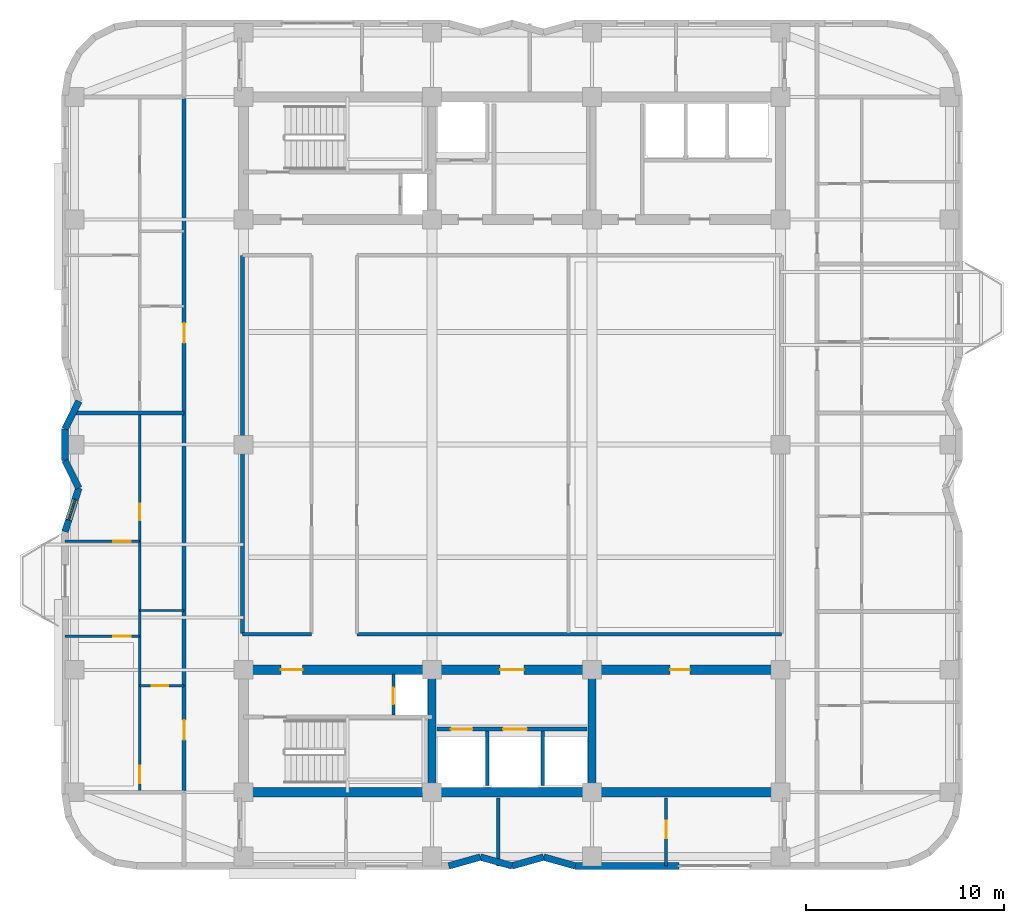
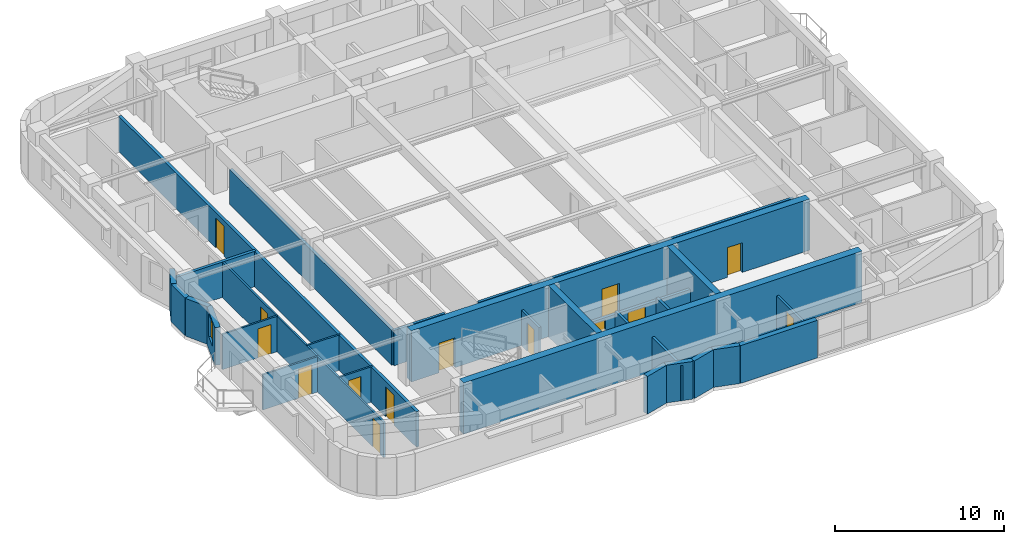
# One storey, part 5 of 12: 29 walls, 14 doors, 1 window, 15 openings.
"""IFC4 building model written with IfcOpenShell, lengths in metres."""

import ifcopenshell
import ifcopenshell.guid

model = None  # the IFC model being written
_history = None  # IfcOwnerHistory: only IFC2X3 demands one
_inside = {}  # id of a spatial element -> (the spatial element, [elements in it])
_under = {}  # id of a project, library or spatial element -> (it, [spatial elements below it])
_declared = {}  # id of a project -> (the project, [libraries it declares])
_typed = {}  # id of a type object -> (the type object, [elements of that type])
_made_of = {}  # id of a material, layer set ... -> (it, [elements and type objects made of it])


def new_model(schema):
    """Start an empty IFC model of exactly this schema.

    Asked for "IFC4X3", IfcOpenShell would pick the latest addendum, in which some entities
    have other attributes; the version numbers below select the first issue.
    IFC2X3 requires an IfcOwnerHistory on every rooted entity: one is made here for all.
    """
    global model, _history
    if schema == "IFC4X3":
        model = ifcopenshell.file(schema_version=(4, 3, 0, 0))
    else:
        model = ifcopenshell.file(schema=schema)
    _inside.clear()
    _under.clear()
    _declared.clear()
    _typed.clear()
    _made_of.clear()
    _history = None
    if model.schema == "IFC2X3":
        org = make("IfcOrganization", Name="unknown")
        user = make(
            "IfcPersonAndOrganization",
            ThePerson=make("IfcPerson", FamilyName="unknown"),
            TheOrganization=org,
        )
        app = make(
            "IfcApplication",
            ApplicationDeveloper=org,
            Version="unknown",
            ApplicationFullName="unknown",
            ApplicationIdentifier="unknown",
        )
        _history = make(
            "IfcOwnerHistory",
            OwningUser=user,
            OwningApplication=app,
            ChangeAction="ADDED",
            CreationDate=0,
        )
    return model


def make(cls, **values):
    """One entity of the class cls with the attributes given. An attribute that is None is left unset."""
    return model.create_entity(
        cls, **{name: value for name, value in values.items() if value is not None}
    )


def rooted(cls, **values):
    """An entity with a GlobalId (a new one), such as an element, a storey or a relation."""
    return make(cls, GlobalId=ifcopenshell.guid.new(), OwnerHistory=_history, **values)


def si_unit(unit_type, name, prefix=None):
    """IfcSIUnit, for example si_unit("LENGTHUNIT", "METRE", prefix="MILLI")."""
    return make("IfcSIUnit", UnitType=unit_type, Prefix=prefix, Name=name)


def assignment(units):
    """IfcUnitAssignment: the units of a project."""
    return None if units is None else make("IfcUnitAssignment", Units=units)


def point(xyz):
    """IfcCartesianPoint."""
    return None if xyz is None else make("IfcCartesianPoint", Coordinates=xyz)


def direction(xyz):
    """IfcDirection."""
    return None if xyz is None else make("IfcDirection", DirectionRatios=xyz)


def frame(location, z_axis=None, x_axis=None):
    """IfcAxis2Placement3D, a coordinate frame: its origin and axes. An axis left out is left unset."""
    return make(
        "IfcAxis2Placement3D",
        Location=point(location),
        Axis=direction(z_axis),
        RefDirection=direction(x_axis),
    )


def frame_2d(location, x_axis=None):
    """IfcAxis2Placement2D, a coordinate frame in the plane: its origin and x axis."""
    return make(
        "IfcAxis2Placement2D", Location=point(location), RefDirection=direction(x_axis)
    )


def origin():
    """The frame at (0, 0, 0) with its axes left unset."""
    return frame((0.0, 0.0, 0.0))


def place(relative_to, where):
    """IfcLocalPlacement: puts the frame where relative to a parent placement (None: the world)."""
    return make(
        "IfcLocalPlacement", PlacementRelTo=relative_to, RelativePlacement=where
    )


def context(
    kind, dimensions, precision=None, world=None, true_north=None, identifier=None
):
    """IfcGeometricRepresentationContext, for example the 3D "Model" context."""
    return make(
        "IfcGeometricRepresentationContext",
        ContextIdentifier=identifier,
        ContextType=kind,
        CoordinateSpaceDimension=dimensions,
        Precision=precision,
        WorldCoordinateSystem=world,
        TrueNorth=true_north,
    )


def subcontext(parent, identifier, kind, view, scale=None):
    """IfcGeometricRepresentationSubContext, for example "Body" below "Model"."""
    return make(
        "IfcGeometricRepresentationSubContext",
        ContextIdentifier=identifier,
        ContextType=kind,
        ParentContext=parent,
        TargetScale=scale,
        TargetView=view,
    )


def project(units=None, contexts=None):
    """IfcProject with its units and contexts."""
    return rooted(
        "IfcProject",
        Name="project",
        RepresentationContexts=contexts,
        UnitsInContext=assignment(units),
    )


def spatial(cls, under=None, at=None, **own):
    """A site, building, storey or space (cls), placed at a placement, below another one or the project."""
    s = rooted(cls, ObjectPlacement=at, **own)
    if under is not None:
        _under.setdefault(under.id(), (under, []))[1].append(s)
    return s


def profile(cls, at=None, kind="AREA", **sizes):
    """A parametric profile (cls). Its sizes go by their IFC names, for example OverallWidth=200.0."""
    return make(cls, ProfileType=kind, Position=at, **sizes)


def rectangle(**sizes):
    """IfcRectangleProfileDef."""
    return profile("IfcRectangleProfileDef", **sizes)


def extrude(swept, where, along, depth):
    """IfcExtrudedAreaSolid: the profile swept, set in the frame where, extruded along a direction by depth."""
    return make(
        "IfcExtrudedAreaSolid",
        SweptArea=swept,
        Position=where,
        ExtrudedDirection=direction(along),
        Depth=depth,
    )


def shape(context_of_items, identifier, shape_type, items):
    """IfcShapeRepresentation: the items that make up one representation, for example the "Body"."""
    return make(
        "IfcShapeRepresentation",
        ContextOfItems=context_of_items,
        RepresentationIdentifier=identifier,
        RepresentationType=shape_type,
        Items=items,
    )


def material(Name=None, Category=None):
    """IfcMaterial."""
    return make("IfcMaterial", Name=Name, Category=Category)


def layer(
    of_material, thickness, ventilated=None, Name=None, Category=None, Priority=None
):
    """IfcMaterialLayer: one layer of a wall or slab, of a material (None: an air gap)."""
    return make(
        "IfcMaterialLayer",
        Material=of_material,
        LayerThickness=thickness,
        IsVentilated=ventilated,
        Name=Name,
        Category=Category,
        Priority=Priority,
    )


def layer_set(layers, Name=None):
    """IfcMaterialLayerSet."""
    return make("IfcMaterialLayerSet", MaterialLayers=layers, LayerSetName=Name)


def made_of(thing, what):
    """Note that an element or type object is made of a material, layer set ...; save() writes the relation."""
    if what is not None:
        _made_of.setdefault(what.id(), (what, []))[1].append(thing)
    return thing


def type_object(cls, material=None, **own):
    """A type object (cls), such as IfcWallType, which elements share."""
    return made_of(rooted(cls, **own), material)


def element(
    cls,
    number,
    at=None,
    inside=None,
    cuts=None,
    type_object=None,
    material=None,
    context=None,
    identifier="Body",
    shape_type=None,
    held_by="IfcProductDefinitionShape",
    body=None,
    shapes=None,
    **own,
):
    """One element of the class cls, such as IfcWall. Its Tag is "e" and its number.

    at: its placement. inside: the storey or other place that contains it. cuts: it is an
    opening in that element (IfcRelVoidsElement). A single representation is given by context,
    identifier, shape_type and body (its items); several are given by shapes. held_by: the class
    of the entity that holds the representations. save() writes the other relations.
    """
    e = rooted(cls, Tag="e%d" % number, ObjectPlacement=at, **own)
    if body is not None:
        shapes = [shape(context, identifier, shape_type, body)]
    if shapes is not None:
        e.Representation = make(held_by, Representations=shapes)
    if inside is not None:
        _inside.setdefault(inside.id(), (inside, []))[1].append(e)
    if cuts is not None:
        rooted(
            "IfcRelVoidsElement", RelatingBuildingElement=cuts, RelatedOpeningElement=e
        )
    if type_object is not None:
        _typed.setdefault(type_object.id(), (type_object, []))[1].append(e)
    return made_of(e, material)


def fill(opening, filler):
    """IfcRelFillsElement: the door or window that sits in an opening."""
    return rooted(
        "IfcRelFillsElement",
        RelatingOpeningElement=opening,
        RelatedBuildingElement=filler,
    )


def aggregate(whole, parts):
    """IfcRelAggregates: a whole, such as a stair, and the parts it consists of."""
    return rooted("IfcRelAggregates", RelatingObject=whole, RelatedObjects=parts)


def save(model, path):
    """Write the relations noted so far, then the file.

    IfcRelAggregates (storeys below a building ...), IfcRelContainedInSpatialStructure (elements
    in a storey), IfcRelDefinesByType, IfcRelAssociatesMaterial and IfcRelDeclares: one each for
    every whole, place, type object, material and project.
    """
    for whole, parts in _under.values():
        aggregate(whole, parts)
    for where, things in _inside.values():
        rooted(
            "IfcRelContainedInSpatialStructure",
            RelatedElements=things,
            RelatingStructure=where,
        )
    for kind, things in _typed.values():
        rooted("IfcRelDefinesByType", RelatedObjects=things, RelatingType=kind)
    for what, things in _made_of.values():
        rooted("IfcRelAssociatesMaterial", RelatedObjects=things, RelatingMaterial=what)
    for by, libraries in _declared.values():
        rooted("IfcRelDeclares", RelatingContext=by, RelatedDefinitions=libraries)
    model.write(path)


model = new_model("IFC4")

# Units and contexts
model_context = context("Model", 3, precision=1e-05, world=origin(), true_north=direction((0.0, 1.0)))
body_context = subcontext(model_context, "Body", "Model", "MODEL_VIEW")
ifc_project = project(units=[si_unit("LENGTHUNIT", "METRE"), si_unit("AREAUNIT", "SQUARE_METRE"), si_unit("VOLUMEUNIT", "CUBIC_METRE"), si_unit("PLANEANGLEUNIT", "RADIAN"), si_unit("MASSUNIT", "GRAM", prefix="KILO")], contexts=[model_context])

# Site, building, storey
site_placement = place(None, origin())
site = spatial("IfcSite", under=ifc_project, at=site_placement, CompositionType="ELEMENT")
building_placement = place(site_placement, origin())
building = spatial("IfcBuilding", under=site, at=building_placement, Name="Svetorya Sky Lyceum", CompositionType="ELEMENT")
storey_placement = place(building_placement, frame((0.0, 0.0, 177.39990234375)))
storey = spatial("IfcBuildingStorey", under=building, at=storey_placement, Name="L44", CompositionType="ELEMENT", Elevation=177.39990234375)

# Walls
ifc_material_1 = material(Name="Concrete C40/50", Category="concrete")
ifc_layer_1 = layer(ifc_material_1, 0.39990234375)
ifc_layer_set_1 = layer_set([ifc_layer_1], Name="Concrete C40/50")
wall_type_1 = type_object("IfcWallType", Name="WL-CORE-400", PredefinedType="SHEAR", material=ifc_layer_set_1)
for number, where, z_axis, x_axis, name in (
    (1, (35.14990234375, 10.85009765625, 0.0), (0.0, 0.0, 1.0), (0.0, 1.0, 0.0), "L44 SC Internal Shear Web WEB1"),
    (2, (43.25, 10.85009765625, 0.0), (0.0, 0.0, 1.0), (0.0, 1.0, 0.0), "L44 SC Internal Shear Web WEB2"),
):
    element("IfcWall", number, at=place(storey_placement, frame(where, z_axis=z_axis, x_axis=x_axis)), inside=storey, type_object=wall_type_1, Name=name, PredefinedType="SHEAR", context=body_context, shape_type="SweptSolid", body=[
        extrude(rectangle(XDim=5.699951171875, YDim=0.39990234375, at=frame_2d((2.85009765625, 0.0))), origin(), (0.0, 0.0, 1.0), 3.7001953125),
    ])
ifc_material_2 = material(Name="Concrete C50/60", Category="concrete")
ifc_layer_2 = layer(ifc_material_2, 0.5)
ifc_layer_set_2 = layer_set([ifc_layer_2], Name="Concrete C50/60")
wall_type_2 = type_object("IfcWallType", Name="WL-CORE-500", PredefinedType="SHEAR", material=ifc_layer_set_2)
wall_1_placement = place(storey_placement, frame((52.800048828125, 10.60009765625, 0.0), z_axis=(0.0, 0.0, 1.0), x_axis=(-1.0, 0.0, 0.0)))
element("IfcWall", 3, at=wall_1_placement, inside=storey, type_object=wall_type_2, Name="L44 SC Outer Core Shear Wall", PredefinedType="SHEAR", context=body_context, shape_type="SweptSolid", body=[
    extrude(rectangle(XDim=27.199951171875, YDim=0.5, at=frame_2d((13.60009765625, 0.0))), origin(), (0.0, 0.0, 1.0), 3.7001953125),
])

# Wall, openings, doors
wall_2_placement = place(storey_placement, frame((25.60009765625, 16.800048828125, 0.0), z_axis=(0.0, 0.0, 1.0), x_axis=(1.0, 0.0, 0.0)))
wall_2 = element("IfcWall", 4, at=wall_2_placement, inside=storey, type_object=wall_type_2, Name="L44 SC Inner Core Shear Wall", PredefinedType="SHEAR", context=body_context, shape_type="SweptSolid", body=[
    extrude(rectangle(XDim=27.199951171875, YDim=0.5, at=frame_2d((13.60009765625, 0.0))), origin(), (0.0, 0.0, 1.0), 3.7001953125),
])
opening_1_placement = place(wall_2_placement, frame((1.89990234375, 0.0, 0.0)))
opening_1 = element("IfcOpeningElement", 5, at=opening_1_placement, cuts=wall_2, Name="Opening D-ST1", PredefinedType="OPENING", context=body_context, shape_type="SweptSolid", body=[
    extrude(rectangle(XDim=1.10009765625, YDim=2.14990234375, at=frame_2d((0.550048828125, 1.074951171875))), frame((0.0, 0.260009765625, 0.0), z_axis=(0.0, -1.0, 0.0), x_axis=(1.0, 0.0, 0.0)), (0.0, 0.0, 1.0), 0.52001953125),
])
opening_2_placement = place(wall_2_placement, frame((13.0, 0.0, 0.0)))
opening_2 = element("IfcOpeningElement", 6, at=opening_2_placement, cuts=wall_2, Name="Opening D-FL1", PredefinedType="OPENING", context=body_context, shape_type="SweptSolid", body=[
    extrude(rectangle(XDim=1.199951171875, YDim=2.14990234375, at=frame_2d((0.60009765625, 1.074951171875))), frame((0.0, 0.260009765625, 0.0), z_axis=(0.0, -1.0, 0.0), x_axis=(1.0, 0.0, 0.0)), (0.0, 0.0, 1.0), 0.52001953125),
])
opening_3_placement = place(wall_2_placement, frame((21.60009765625, 0.0, 0.0)))
opening_3 = element("IfcOpeningElement", 7, at=opening_3_placement, cuts=wall_2, Name="Opening D-RM2", PredefinedType="OPENING", context=body_context, shape_type="SweptSolid", body=[
    extrude(rectangle(XDim=1.0, YDim=2.14990234375, at=frame_2d((0.5, 1.074951171875))), frame((0.0, 0.260009765625, 0.0), z_axis=(0.0, -1.0, 0.0), x_axis=(1.0, 0.0, 0.0)), (0.0, 0.0, 1.0), 0.52001953125),
])
ifc_material_3 = material(Name="Powder-coated insulated galvanized stair fire door")
door_type_1 = type_object("IfcDoorType", Name="DR-FIRE-1100", OperationType="SINGLE_SWING_LEFT", PredefinedType="DOOR", material=ifc_material_3)
door_1_placement = place(opening_1_placement, origin())
door_1 = element("IfcDoor", 8, at=door_1_placement, inside=storey, type_object=door_type_1, Name="L44 South Stair Airlock Door", OperationType="SINGLE_SWING_RIGHT", OverallHeight=2.14990234375, OverallWidth=1.10009765625, PredefinedType="DOOR", context=body_context, shape_type="SweptSolid", body=[
    extrude(rectangle(XDim=1.10009765625, YDim=2.14990234375, at=frame_2d((0.550048828125, 1.074951171875))), frame((0.0, 0.02490234375, 0.0), z_axis=(0.0, -1.0, 0.0), x_axis=(1.0, 0.0, 0.0)), (0.0, 0.0, 1.0), 0.050048828125),
])
fill(opening_1, door_1)
ifc_material_4 = material(Name="Powder-coated insulated galvanized fire door")
door_type_2 = type_object("IfcDoorType", Name="DR-FIRE-1200", OperationType="SINGLE_SWING_LEFT", PredefinedType="DOOR", material=ifc_material_4)
door_2_placement = place(opening_2_placement, origin())
door_2 = element("IfcDoor", 9, at=door_2_placement, inside=storey, type_object=door_type_2, Name="L44 South Firefighting Lift Lobby Door", OperationType="SINGLE_SWING_LEFT", OverallHeight=2.14990234375, OverallWidth=1.199951171875, PredefinedType="DOOR", context=body_context, shape_type="SweptSolid", body=[
    extrude(rectangle(XDim=1.199951171875, YDim=2.14990234375, at=frame_2d((0.60009765625, 1.074951171875))), frame((0.0, 0.02490234375, 0.0), z_axis=(0.0, -1.0, 0.0), x_axis=(1.0, 0.0, 0.0)), (0.0, 0.0, 1.0), 0.050048828125),
])
fill(opening_2, door_2)
ifc_material_5 = material(Name="Solid-core oak acoustic room door")
door_type_3 = type_object("IfcDoorType", Name="DR-INT-1000", OperationType="SINGLE_SWING_LEFT", PredefinedType="DOOR", material=ifc_material_5)
door_3_placement = place(opening_3_placement, origin())
door_3 = element("IfcDoor", 10, at=door_3_placement, inside=storey, type_object=door_type_3, Name="L44 Trunk Store Door", OperationType="SINGLE_SWING_LEFT", OverallHeight=2.14990234375, OverallWidth=1.0, PredefinedType="DOOR", context=body_context, shape_type="SweptSolid", body=[
    extrude(rectangle(XDim=1.0, YDim=2.14990234375, at=frame_2d((0.5, 1.074951171875))), frame((0.0, 0.02490234375, 0.0), z_axis=(0.0, -1.0, 0.0), x_axis=(1.0, 0.0, 0.0)), (0.0, 0.0, 1.0), 0.050048828125),
])
fill(opening_3, door_3)

# Walls
ifc_material_6 = material(Name="Putilovo limestone rainscreen on autoclaved cellular masonry", Category="masonry")
ifc_layer_3 = layer(ifc_material_6, 0.340087890625)
ifc_layer_set_3 = layer_set([ifc_layer_3], Name="Putilovo limestone rainscreen on autoclaved cellular masonry")
wall_type_3 = type_object("IfcWallType", Name="WL-EXT-340", PredefinedType="SOLIDWALL", material=ifc_layer_set_3)
wall_3_placement = place(storey_placement, frame((36.0, 6.8701171875, 0.0), z_axis=(0.0, 0.0, 1.0), x_axis=(0.962662902433, 0.270703040766, 0.0)))
element("IfcWall", 11, at=wall_3_placement, inside=storey, type_object=wall_type_3, Name="L44 Limestone Exterior Wall 7M", PredefinedType="SOLIDWALL", context=body_context, shape_type="SweptSolid", body=[
    extrude(rectangle(XDim=1.662109375, YDim=0.340087890625, at=frame_2d((0.8310546875, 0.0))), origin(), (0.0, 0.0, 1.0), 2.72021484375),
])
wall_4_placement = place(storey_placement, frame((37.60009765625, 7.320068359375, 0.0), z_axis=(0.0, 0.0, 1.0), x_axis=(0.962652136636, -0.270741322725, 0.0)))
element("IfcWall", 12, at=wall_4_placement, inside=storey, type_object=wall_type_3, Name="L44 Limestone Exterior Wall 8M", PredefinedType="SOLIDWALL", context=body_context, shape_type="SweptSolid", body=[
    extrude(rectangle(XDim=1.661865234375, YDim=0.340087890625, at=frame_2d((0.8310546875, 0.0))), origin(), (0.0, 0.0, 1.0), 2.72021484375),
])
wall_5_placement = place(storey_placement, frame((39.199951171875, 6.8701171875, 0.0), z_axis=(0.0, 0.0, 1.0), x_axis=(0.962662902433, 0.270703040766, 0.0)))
element("IfcWall", 13, at=wall_5_placement, inside=storey, type_object=wall_type_3, Name="L44 Limestone Exterior Wall 9M", PredefinedType="SOLIDWALL", context=body_context, shape_type="SweptSolid", body=[
    extrude(rectangle(XDim=1.662109375, YDim=0.340087890625, at=frame_2d((0.8310546875, 0.0))), origin(), (0.0, 0.0, 1.0), 2.72021484375),
])
wall_6_placement = place(storey_placement, frame((40.800048828125, 7.320068359375, 0.0), z_axis=(0.0, 0.0, 1.0), x_axis=(0.962652136636, -0.270741322725, 0.0)))
element("IfcWall", 14, at=wall_6_placement, inside=storey, type_object=wall_type_3, Name="L44 Limestone Exterior Wall 10M", PredefinedType="SOLIDWALL", context=body_context, shape_type="SweptSolid", body=[
    extrude(rectangle(XDim=1.661865234375, YDim=0.340087890625, at=frame_2d((0.8310546875, 0.0))), origin(), (0.0, 0.0, 1.0), 2.72021484375),
])
wall_7_placement = place(storey_placement, frame((42.39990234375, 6.8701171875, 0.0), z_axis=(0.0, 0.0, 1.0), x_axis=(1.0, 0.0, 0.0)))
element("IfcWall", 15, at=wall_7_placement, inside=storey, type_object=wall_type_3, Name="L44 Limestone Exterior Wall 11A", PredefinedType="SOLIDWALL", context=body_context, shape_type="SweptSolid", body=[
    extrude(rectangle(XDim=5.25, YDim=0.340087890625, at=frame_2d((2.625, 0.0))), origin(), (0.0, 0.0, 1.0), 2.72021484375),
])
wall_8_placement = place(storey_placement, frame((17.27001953125, 30.39990234375, 0.0), z_axis=(0.0, 0.0, 1.0), x_axis=(-0.4472135955, -0.894427191, 0.0)))
element("IfcWall", 16, at=wall_8_placement, inside=storey, type_object=wall_type_3, Name="L44 Limestone Exterior Wall 42M", PredefinedType="SOLIDWALL", context=body_context, shape_type="SweptSolid", body=[
    extrude(rectangle(XDim=1.565185546875, YDim=0.340087890625, at=frame_2d((0.78271484375, 0.0))), origin(), (0.0, 0.0, 1.0), 2.72021484375),
])
wall_9_placement = place(storey_placement, frame((16.570068359375, 29.0, 0.0), z_axis=(0.0, 0.0, 1.0), x_axis=(0.0, -1.0, 0.0)))
element("IfcWall", 17, at=wall_9_placement, inside=storey, type_object=wall_type_3, Name="L44 Limestone Exterior Wall 43M", PredefinedType="SOLIDWALL", context=body_context, shape_type="SweptSolid", body=[
    extrude(rectangle(XDim=1.60009765625, YDim=0.340087890625, at=frame_2d((0.800048828125, 0.0))), origin(), (0.0, 0.0, 1.0), 2.72021484375),
])
wall_10_placement = place(storey_placement, frame((16.570068359375, 27.39990234375, 0.0), z_axis=(0.0, 0.0, 1.0), x_axis=(0.4472135955, -0.894427191, 0.0)))
element("IfcWall", 18, at=wall_10_placement, inside=storey, type_object=wall_type_3, Name="L44 Limestone Exterior Wall 44M", PredefinedType="SOLIDWALL", context=body_context, shape_type="SweptSolid", body=[
    extrude(rectangle(XDim=1.565185546875, YDim=0.340087890625, at=frame_2d((0.78271484375, 0.0))), origin(), (0.0, 0.0, 1.0), 2.72021484375),
])

# Wall, opening, window
wall_11_placement = place(storey_placement, frame((17.27001953125, 26.0, 0.0), z_axis=(0.0, 0.0, 1.0), x_axis=(-0.303190562272, -0.952929946507, 0.0)))
wall_11 = element("IfcWall", 19, at=wall_11_placement, inside=storey, type_object=wall_type_3, Name="L44 Limestone Exterior Wall 45M", PredefinedType="SOLIDWALL", context=body_context, shape_type="SweptSolid", body=[
    extrude(rectangle(XDim=2.30859375, YDim=0.340087890625, at=frame_2d((1.154296875, 0.0))), origin(), (0.0, 0.0, 1.0), 2.72021484375),
])
opening_4_placement = place(wall_11_placement, frame((0.604248046875, 0.0, 0.909912109375)))
opening_4 = element("IfcOpeningElement", 20, at=opening_4_placement, cuts=wall_11, Name="Opening W-R3", PredefinedType="OPENING", context=body_context, shape_type="SweptSolid", body=[
    extrude(rectangle(XDim=1.10009765625, YDim=1.64990234375, at=frame_2d((0.550048828125, 0.824951171875))), frame((0.0, 0.179931640625, 0.0), z_axis=(0.0, -1.0, 0.0), x_axis=(1.0, 0.0, 0.0)), (0.0, 0.0, 1.0), 0.360107421875),
])
ifc_material_7 = material(Name="Thermally broken aluminium frame with triple low-E glazing", Category="aluminium")
window_type = type_object("IfcWindowType", Name="WN-RES-110", PartitioningType="SINGLE_PANEL", PredefinedType="WINDOW", material=ifc_material_7)
window_placement = place(opening_4_placement, origin())
window = element("IfcWindow", 21, at=window_placement, inside=storey, type_object=window_type, Name="L44 Facade Window W-R3.45M.1", OverallHeight=1.64990234375, OverallWidth=1.10009765625, PartitioningType="SINGLE_PANEL", PredefinedType="WINDOW", context=body_context, shape_type="SweptSolid", body=[
    extrude(rectangle(XDim=1.10009765625, YDim=1.64990234375, at=frame_2d((0.550048828125, 0.824951171875))), frame((0.0, 0.030029296875, 0.0), z_axis=(0.0, -1.0, 0.0), x_axis=(1.0, 0.0, 0.0)), (0.0, 0.0, 1.0), 0.06005859375),
])
fill(opening_4, window)

# Wall, opening, door
ifc_material_8 = material(Name="Twin-stud galvanized framing with double fireboard", Category="gypsum")
ifc_layer_4 = layer(ifc_material_8, 0.1201171875)
ifc_layer_set_4 = layer_set([ifc_layer_4], Name="Twin-stud galvanized framing with double fireboard")
wall_type_4 = type_object("IfcWallType", Name="WL-PART-120", PredefinedType="PARTITIONING", material=ifc_layer_set_4)
wall_12_placement = place(storey_placement, frame((20.35009765625, 16.0, 0.0), z_axis=(0.0, 0.0, 1.0), x_axis=(1.0, 0.0, 0.0)))
wall_12 = element("IfcWall", 22, at=wall_12_placement, inside=storey, type_object=wall_type_4, Name="L44 Interior Partition W1-WH1", PredefinedType="PARTITIONING", context=body_context, shape_type="SweptSolid", body=[
    extrude(rectangle(XDim=2.25, YDim=0.1201171875, at=frame_2d((1.125, 0.0))), origin(), (0.0, 0.0, 1.0), 2.550048828125),
])
opening_5_placement = place(wall_12_placement, frame((0.60009765625, 0.0, 0.0)))
opening_5 = element("IfcOpeningElement", 23, at=opening_5_placement, cuts=wall_12, Name="Opening D-BT1", PredefinedType="OPENING", context=body_context, shape_type="SweptSolid", body=[
    extrude(rectangle(XDim=0.85009765625, YDim=2.10009765625, at=frame_2d((0.425048828125, 1.050048828125))), frame((0.0, 0.070068359375, 0.0), z_axis=(0.0, -1.0, 0.0), x_axis=(1.0, 0.0, 0.0)), (0.0, 0.0, 1.0), 0.14013671875),
])
ifc_material_9 = material(Name="Moisture-resistant laminate bathroom door")
door_type_4 = type_object("IfcDoorType", Name="DR-WET-850", OperationType="SINGLE_SWING_LEFT", PredefinedType="DOOR", material=ifc_material_9)
door_4_placement = place(opening_5_placement, origin())
door_4 = element("IfcDoor", 24, at=door_4_placement, inside=storey, type_object=door_type_4, Name="Apartment W1 Bathroom Door", OperationType="SINGLE_SWING_LEFT", OverallHeight=2.10009765625, OverallWidth=0.85009765625, PredefinedType="DOOR", context=body_context, shape_type="SweptSolid", body=[
    extrude(rectangle(XDim=0.85009765625, YDim=2.10009765625, at=frame_2d((0.425048828125, 1.050048828125))), frame((0.0, 0.02490234375, 0.0), z_axis=(0.0, -1.0, 0.0), x_axis=(1.0, 0.0, 0.0)), (0.0, 0.0, 1.0), 0.050048828125),
])
fill(opening_5, door_4)

# Wall
wall_13_placement = place(storey_placement, frame((20.35009765625, 19.800048828125, 0.0), z_axis=(0.0, 0.0, 1.0), x_axis=(1.0, 0.0, 0.0)))
element("IfcWall", 25, at=wall_13_placement, inside=storey, type_object=wall_type_4, Name="L44 Interior Partition W1-WH2", PredefinedType="PARTITIONING", context=body_context, shape_type="SweptSolid", body=[
    extrude(rectangle(XDim=2.25, YDim=0.1201171875, at=frame_2d((1.125, 0.0))), origin(), (0.0, 0.0, 1.0), 2.550048828125),
])

# Wall, opening, door
wall_14_placement = place(storey_placement, frame((16.570068359375, 18.5, 0.0), z_axis=(0.0, 0.0, 1.0), x_axis=(1.0, 0.0, 0.0)))
wall_14 = element("IfcWall", 26, at=wall_14_placement, inside=storey, type_object=wall_type_4, Name="L44 Interior Partition W1-WL1", PredefinedType="PARTITIONING", context=body_context, shape_type="SweptSolid", body=[
    extrude(rectangle(XDim=3.780029296875, YDim=0.1201171875, at=frame_2d((1.89013671875, 0.0))), origin(), (0.0, 0.0, 1.0), 2.550048828125),
])
opening_6_placement = place(wall_14_placement, frame((2.429931640625, 0.0, 0.0)))
opening_6 = element("IfcOpeningElement", 27, at=opening_6_placement, cuts=wall_14, Name="Opening D-RM1", PredefinedType="OPENING", context=body_context, shape_type="SweptSolid", body=[
    extrude(rectangle(XDim=0.89990234375, YDim=2.10009765625, at=frame_2d((0.449951171875, 1.050048828125))), frame((0.0, 0.070068359375, 0.0), z_axis=(0.0, -1.0, 0.0), x_axis=(1.0, 0.0, 0.0)), (0.0, 0.0, 1.0), 0.14013671875),
])
ifc_material_10 = material(Name="Lacquered birch veneer internal door")
door_type_5 = type_object("IfcDoorType", Name="DR-INT-900", OperationType="SINGLE_SWING_LEFT", PredefinedType="DOOR", material=ifc_material_10)
door_5_placement = place(opening_6_placement, origin())
door_5 = element("IfcDoor", 28, at=door_5_placement, inside=storey, type_object=door_type_5, Name="Apartment W1 Master Bedroom Door", OperationType="SINGLE_SWING_LEFT", OverallHeight=2.10009765625, OverallWidth=0.89990234375, PredefinedType="DOOR", context=body_context, shape_type="SweptSolid", body=[
    extrude(rectangle(XDim=0.89990234375, YDim=2.10009765625, at=frame_2d((0.449951171875, 1.050048828125))), frame((0.0, 0.02490234375, 0.0), z_axis=(0.0, -1.0, 0.0), x_axis=(1.0, 0.0, 0.0)), (0.0, 0.0, 1.0), 0.050048828125),
])
fill(opening_6, door_5)

wall_15_placement = place(storey_placement, frame((16.570068359375, 23.300048828125, 0.0), z_axis=(0.0, 0.0, 1.0), x_axis=(1.0, 0.0, 0.0)))
wall_15 = element("IfcWall", 29, at=wall_15_placement, inside=storey, type_object=wall_type_4, Name="L44 Interior Partition W1-WL2", PredefinedType="PARTITIONING", context=body_context, shape_type="SweptSolid", body=[
    extrude(rectangle(XDim=3.780029296875, YDim=0.1201171875, at=frame_2d((1.89013671875, 0.0))), origin(), (0.0, 0.0, 1.0), 2.550048828125),
])
opening_7_placement = place(wall_15_placement, frame((2.429931640625, 0.0, 0.0)))
opening_7 = element("IfcOpeningElement", 30, at=opening_7_placement, cuts=wall_15, Name="Opening D-RM1", PredefinedType="OPENING", context=body_context, shape_type="SweptSolid", body=[
    extrude(rectangle(XDim=0.89990234375, YDim=2.10009765625, at=frame_2d((0.449951171875, 1.050048828125))), frame((0.0, 0.070068359375, 0.0), z_axis=(0.0, -1.0, 0.0), x_axis=(1.0, 0.0, 0.0)), (0.0, 0.0, 1.0), 0.14013671875),
])
door_6_placement = place(opening_7_placement, origin())
door_6 = element("IfcDoor", 31, at=door_6_placement, inside=storey, type_object=door_type_5, Name="Apartment W1 Bedroom 2 Door", OperationType="SINGLE_SWING_RIGHT", OverallHeight=2.10009765625, OverallWidth=0.89990234375, PredefinedType="DOOR", context=body_context, shape_type="SweptSolid", body=[
    extrude(rectangle(XDim=0.89990234375, YDim=2.10009765625, at=frame_2d((0.449951171875, 1.050048828125))), frame((0.0, 0.02490234375, 0.0), z_axis=(0.0, -1.0, 0.0), x_axis=(1.0, 0.0, 0.0)), (0.0, 0.0, 1.0), 0.050048828125),
])
fill(opening_7, door_6)

# Wall, openings, doors
wall_16_placement = place(storey_placement, frame((20.35009765625, 10.639892578125, 0.0), z_axis=(0.0, 0.0, 1.0), x_axis=(0.0, 1.0, 0.0)))
wall_16 = element("IfcWall", 32, at=wall_16_placement, inside=storey, type_object=wall_type_4, Name="L44 Interior Partition W1-WV", PredefinedType="PARTITIONING", context=body_context, shape_type="SweptSolid", body=[
    extrude(rectangle(XDim=19.1201171875, YDim=0.1201171875, at=frame_2d((9.56005859375, 0.0))), origin(), (0.0, 0.0, 1.0), 2.550048828125),
])
opening_8_placement = place(wall_16_placement, frame((0.409912109375, 0.0, 0.0)))
opening_8 = element("IfcOpeningElement", 33, at=opening_8_placement, cuts=wall_16, Name="Opening D-RM1", PredefinedType="OPENING", context=body_context, shape_type="SweptSolid", body=[
    extrude(rectangle(XDim=0.89990234375, YDim=2.10009765625, at=frame_2d((0.449951171875, 1.050048828125))), frame((0.0, 0.070068359375, 0.0), z_axis=(0.0, -1.0, 0.0), x_axis=(1.0, 0.0, 0.0)), (0.0, 0.0, 1.0), 0.14013671875),
])
opening_9_placement = place(wall_16_placement, frame((13.735107421875, 0.0, 0.0)))
opening_9 = element("IfcOpeningElement", 34, at=opening_9_placement, cuts=wall_16, Name="Opening D-BT2", PredefinedType="OPENING", context=body_context, shape_type="SweptSolid", body=[
    extrude(rectangle(XDim=0.820068359375, YDim=2.080078125, at=frame_2d((0.41015625, 1.0400390625))), frame((0.0, 0.070068359375, 0.0), z_axis=(0.0, -1.0, 0.0), x_axis=(1.0, 0.0, 0.0)), (0.0, 0.0, 1.0), 0.14013671875),
])
door_7_placement = place(opening_8_placement, origin())
door_7 = element("IfcDoor", 35, at=door_7_placement, inside=storey, type_object=door_type_5, Name="Apartment W1 Living Door", OperationType="SINGLE_SWING_RIGHT", OverallHeight=2.10009765625, OverallWidth=0.89990234375, PredefinedType="DOOR", context=body_context, shape_type="SweptSolid", body=[
    extrude(rectangle(XDim=0.89990234375, YDim=2.10009765625, at=frame_2d((0.449951171875, 1.050048828125))), frame((0.0, 0.02490234375, 0.0), z_axis=(0.0, -1.0, 0.0), x_axis=(1.0, 0.0, 0.0)), (0.0, 0.0, 1.0), 0.050048828125),
])
fill(opening_8, door_7)
ifc_material_11 = material(Name="Compact moisture-resistant laminate closet door")
door_type_6 = type_object("IfcDoorType", Name="DR-WET-820", OperationType="SINGLE_SWING_LEFT", PredefinedType="DOOR", material=ifc_material_11)
door_8_placement = place(opening_9_placement, origin())
door_8 = element("IfcDoor", 36, at=door_8_placement, inside=storey, type_object=door_type_6, Name="Apartment W1 Study Door", OperationType="SINGLE_SWING_LEFT", OverallHeight=2.080078125, OverallWidth=0.820068359375, PredefinedType="DOOR", context=body_context, shape_type="SweptSolid", body=[
    extrude(rectangle(XDim=0.820068359375, YDim=2.080078125, at=frame_2d((0.41015625, 1.0400390625))), frame((0.0, 0.02490234375, 0.0), z_axis=(0.0, -1.0, 0.0), x_axis=(1.0, 0.0, 0.0)), (0.0, 0.0, 1.0), 0.050048828125),
])
fill(opening_9, door_8)

# Wall, opening, door
ifc_material_12 = material(Name="Autoclaved cellular masonry blockwork with acoustic render", Category="masonry")
ifc_layer_5 = layer(ifc_material_12, 0.14990234375)
ifc_layer_set_5 = layer_set([ifc_layer_5], Name="Autoclaved cellular masonry blockwork with acoustic render")
wall_type_5 = type_object("IfcWallType", Name="WL-PART-150", PredefinedType="PARTITIONING", material=ifc_layer_set_5)
wall_17_placement = place(storey_placement, frame((33.199951171875, 14.5, 0.0), z_axis=(0.0, 0.0, 1.0), x_axis=(0.0, 1.0, 0.0)))
wall_17 = element("IfcWall", 37, at=wall_17_placement, inside=storey, type_object=wall_type_5, Name="L44 Interior Partition SC-AIRDIV", PredefinedType="PARTITIONING", context=body_context, shape_type="SweptSolid", body=[
    extrude(rectangle(XDim=2.080078125, YDim=0.14990234375, at=frame_2d((1.0400390625, 0.0))), origin(), (0.0, 0.0, 1.0), 2.550048828125),
])
opening_10_placement = place(wall_17_placement, frame((0.550048828125, 0.0, 0.0)))
opening_10 = element("IfcOpeningElement", 38, at=opening_10_placement, cuts=wall_17, Name="Opening D-SH1", PredefinedType="OPENING", context=body_context, shape_type="SweptSolid", body=[
    extrude(rectangle(XDim=0.85009765625, YDim=2.050048828125, at=frame_2d((0.425048828125, 1.02490234375))), frame((0.0, 0.0849609375, 0.0), z_axis=(0.0, -1.0, 0.0), x_axis=(1.0, 0.0, 0.0)), (0.0, 0.0, 1.0), 0.169921875),
])
ifc_material_13 = material(Name="Insulated galvanized riser inspection fire door")
door_type_7 = type_object("IfcDoorType", Name="DR-SHFT-850", OperationType="SINGLE_SWING_LEFT", PredefinedType="TRAPDOOR", material=ifc_material_13)
door_9_placement = place(opening_10_placement, origin())
door_9 = element("IfcDoor", 39, at=door_9_placement, inside=storey, type_object=door_type_7, Name="L44 South Riser Access Door", OperationType="SINGLE_SWING_RIGHT", OverallHeight=2.050048828125, OverallWidth=0.85009765625, PredefinedType="TRAPDOOR", context=body_context, shape_type="SweptSolid", body=[
    extrude(rectangle(XDim=0.85009765625, YDim=2.050048828125, at=frame_2d((0.425048828125, 1.02490234375))), frame((0.0, 0.02490234375, 0.0), z_axis=(0.0, -1.0, 0.0), x_axis=(1.0, 0.0, 0.0)), (0.0, 0.0, 1.0), 0.050048828125),
])
fill(opening_10, door_9)

wall_18_placement = place(storey_placement, frame((47.0, 6.8701171875, 0.0), z_axis=(0.0, 0.0, 1.0), x_axis=(0.0, 1.0, 0.0)))
wall_18 = element("IfcWall", 40, at=wall_18_placement, inside=storey, type_object=wall_type_5, Name="L44 Interior Partition S4-D3", PredefinedType="PARTITIONING", context=body_context, shape_type="SweptSolid", body=[
    extrude(rectangle(XDim=3.429931640625, YDim=0.14990234375, at=frame_2d((1.71484375, 0.0))), origin(), (0.0, 0.0, 1.0), 2.550048828125),
])
opening_11_placement = place(wall_18_placement, frame((1.39990234375, 0.0, 0.0)))
opening_11 = element("IfcOpeningElement", 41, at=opening_11_placement, cuts=wall_18, Name="Opening D-RM1", PredefinedType="OPENING", context=body_context, shape_type="SweptSolid", body=[
    extrude(rectangle(XDim=0.89990234375, YDim=2.10009765625, at=frame_2d((0.449951171875, 1.050048828125))), frame((0.0, 0.0849609375, 0.0), z_axis=(0.0, -1.0, 0.0), x_axis=(1.0, 0.0, 0.0)), (0.0, 0.0, 1.0), 0.169921875),
])
door_10_placement = place(opening_11_placement, origin())
door_10 = element("IfcDoor", 42, at=door_10_placement, inside=storey, type_object=door_type_5, Name="L44 South Suite Door 3", OperationType="SINGLE_SWING_LEFT", OverallHeight=2.10009765625, OverallWidth=0.89990234375, PredefinedType="DOOR", context=body_context, shape_type="SweptSolid", body=[
    extrude(rectangle(XDim=0.89990234375, YDim=2.10009765625, at=frame_2d((0.449951171875, 1.050048828125))), frame((0.0, 0.02490234375, 0.0), z_axis=(0.0, -1.0, 0.0), x_axis=(1.0, 0.0, 0.0)), (0.0, 0.0, 1.0), 0.050048828125),
])
fill(opening_11, door_10)

# Walls
ifc_material_14 = material(Name="Autoclaved cellular masonry blockwork with fire render", Category="masonry")
ifc_layer_6 = layer(ifc_material_14, 0.175048828125)
ifc_layer_set_6 = layer_set([ifc_layer_6], Name="Autoclaved cellular masonry blockwork with fire render")
wall_type_6 = type_object("IfcWallType", Name="WL-PART-175", PredefinedType="PARTITIONING", material=ifc_layer_set_6)
for number, where, z_axis, x_axis, name in (
    (43, (37.949951171875, 10.949951171875, 0.0), (0.0, 0.0, 1.0), (0.0, 1.0, 0.0), "L44 Interior Partition SC-SHD1"),
    (44, (40.75, 10.949951171875, 0.0), (0.0, 0.0, 1.0), (0.0, 1.0, 0.0), "L44 Interior Partition SC-SHD2"),
):
    element("IfcWall", number, at=place(storey_placement, frame(where, z_axis=z_axis, x_axis=x_axis)), inside=storey, type_object=wall_type_6, Name=name, PredefinedType="PARTITIONING", context=body_context, shape_type="SweptSolid", body=[
        extrude(rectangle(XDim=2.75, YDim=0.175048828125, at=frame_2d((1.375, 0.0))), origin(), (0.0, 0.0, 1.0), 2.550048828125),
    ])
wall_19_placement = place(storey_placement, frame((25.550048828125, 18.60009765625, 0.0), z_axis=(0.0, 0.0, 1.0), x_axis=(1.0, 0.0, 0.0)))
element("IfcWall", 45, at=wall_19_placement, inside=storey, type_object=wall_type_6, Name="L44 Interior Partition OFF-CS-W", PredefinedType="PARTITIONING", context=body_context, shape_type="SweptSolid", body=[
    extrude(rectangle(XDim=3.5, YDim=0.175048828125, at=frame_2d((1.75, 0.0))), origin(), (0.0, 0.0, 1.0), 2.550048828125),
])
wall_20_placement = place(storey_placement, frame((31.35009765625, 18.60009765625, 0.0), z_axis=(0.0, 0.0, 1.0), x_axis=(1.0, 0.0, 0.0)))
element("IfcWall", 46, at=wall_20_placement, inside=storey, type_object=wall_type_6, Name="L44 Interior Partition OFF-CS-E", PredefinedType="PARTITIONING", context=body_context, shape_type="SweptSolid", body=[
    extrude(rectangle(XDim=21.5, YDim=0.175048828125, at=frame_2d((10.75, 0.0))), origin(), (0.0, 0.0, 1.0), 2.550048828125),
])
wall_21_placement = place(storey_placement, frame((38.5, 6.8701171875, 0.0), z_axis=(0.0, 0.0, 1.0), x_axis=(0.0, 1.0, 0.0)))
element("IfcWall", 47, at=wall_21_placement, inside=storey, type_object=wall_type_6, Name="L44 Interior Partition S4-D2", PredefinedType="PARTITIONING", context=body_context, shape_type="SweptSolid", body=[
    extrude(rectangle(XDim=3.429931640625, YDim=0.175048828125, at=frame_2d((1.71484375, 0.0))), origin(), (0.0, 0.0, 1.0), 2.550048828125),
])

# Wall, openings, doors
ifc_material_15 = material(Name="Autoclaved cellular masonry blockwork with gypsum plaster", Category="masonry")
ifc_layer_7 = layer(ifc_material_15, 0.199951171875)
ifc_layer_set_7 = layer_set([ifc_layer_7], Name="Autoclaved cellular masonry blockwork with gypsum plaster")
wall_type_7 = type_object("IfcWallType", Name="WL-PART-200", PredefinedType="PARTITIONING", material=ifc_layer_set_7)
wall_22_placement = place(storey_placement, frame((35.39990234375, 13.800048828125, 0.0), z_axis=(0.0, 0.0, 1.0), x_axis=(1.0, 0.0, 0.0)))
wall_22 = element("IfcWall", 48, at=wall_22_placement, inside=storey, type_object=wall_type_7, Name="L44 Interior Partition SC-FLW", PredefinedType="PARTITIONING", context=body_context, shape_type="SweptSolid", body=[
    extrude(rectangle(XDim=7.60009765625, YDim=0.199951171875, at=frame_2d((3.800048828125, 0.0))), origin(), (0.0, 0.0, 1.0), 2.320068359375),
])
opening_12_placement = place(wall_22_placement, frame((0.699951171875, 0.0, 0.0)))
opening_12 = element("IfcOpeningElement", 49, at=opening_12_placement, cuts=wall_22, Name="Opening LD-FL", PredefinedType="OPENING", context=body_context, shape_type="SweptSolid", body=[
    extrude(rectangle(XDim=1.10009765625, YDim=2.14990234375, at=frame_2d((0.550048828125, 1.074951171875))), frame((0.0, 0.10986328125, 0.0), z_axis=(0.0, -1.0, 0.0), x_axis=(1.0, 0.0, 0.0)), (0.0, 0.0, 1.0), 0.219970703125),
])
opening_13_placement = place(wall_22_placement, frame((3.35009765625, 0.0, 0.0)))
opening_13 = element("IfcOpeningElement", 50, at=opening_13_placement, cuts=wall_22, Name="Opening LD-SV", PredefinedType="OPENING", context=body_context, shape_type="SweptSolid", body=[
    extrude(rectangle(XDim=1.199951171875, YDim=2.14990234375, at=frame_2d((0.60009765625, 1.074951171875))), frame((0.0, 0.10986328125, 0.0), z_axis=(0.0, -1.0, 0.0), x_axis=(1.0, 0.0, 0.0)), (0.0, 0.0, 1.0), 0.219970703125),
])
ifc_material_16 = material(Name="Fire-rated stainless AISI 304 firefighting lift landing door")
door_type_8 = type_object("IfcDoorType", Name="DR-LIFT-1100", OperationType="SLIDING_TO_LEFT", PredefinedType="DOOR", material=ifc_material_16)
door_11_placement = place(opening_12_placement, origin())
door_11 = element("IfcDoor", 51, at=door_11_placement, inside=storey, type_object=door_type_8, Name="L44 Firefighting Lift FL2 Landing Door", OperationType="SLIDING_TO_LEFT", OverallHeight=2.14990234375, OverallWidth=1.10009765625, PredefinedType="DOOR", context=body_context, shape_type="SweptSolid", body=[
    extrude(rectangle(XDim=1.10009765625, YDim=2.14990234375, at=frame_2d((0.550048828125, 1.074951171875))), frame((0.0, 0.02490234375, 0.0), z_axis=(0.0, -1.0, 0.0), x_axis=(1.0, 0.0, 0.0)), (0.0, 0.0, 1.0), 0.050048828125),
])
fill(opening_12, door_11)
ifc_material_17 = material(Name="Brushed stainless AISI 304 telescopic lift landing door")
door_type_9 = type_object("IfcDoorType", Name="DR-LIFT-1200", OperationType="SLIDING_TO_LEFT", PredefinedType="DOOR", material=ifc_material_17)
door_12_placement = place(opening_13_placement, origin())
door_12 = element("IfcDoor", 52, at=door_12_placement, inside=storey, type_object=door_type_9, Name="L44 Service Lift SVL1 Landing Door", OperationType="SLIDING_TO_LEFT", OverallHeight=2.14990234375, OverallWidth=1.199951171875, PredefinedType="DOOR", context=body_context, shape_type="SweptSolid", body=[
    extrude(rectangle(XDim=1.199951171875, YDim=2.14990234375, at=frame_2d((0.60009765625, 1.074951171875))), frame((0.0, 0.02490234375, 0.0), z_axis=(0.0, -1.0, 0.0), x_axis=(1.0, 0.0, 0.0)), (0.0, 0.0, 1.0), 0.050048828125),
])
fill(opening_13, door_12)

# Walls
wall_23_placement = place(storey_placement, frame((25.550048828125, 18.6298828125, 0.0), z_axis=(0.0, 0.0, 1.0), x_axis=(0.0, 1.0, 0.0)))
element("IfcWall", 53, at=wall_23_placement, inside=storey, type_object=wall_type_7, Name="L44 Interior Partition W-CEN-SEP", PredefinedType="PARTITIONING", context=body_context, shape_type="SweptSolid", body=[
    extrude(rectangle(XDim=19.14013671875, YDim=0.199951171875, at=frame_2d((9.570068359375, 0.0))), origin(), (0.0, 0.0, 1.0), 2.550048828125),
])
wall_24_placement = place(storey_placement, frame((16.969970703125, 29.800048828125, 0.0), z_axis=(0.0, 0.0, 1.0), x_axis=(1.0, 0.0, 0.0)))
element("IfcWall", 54, at=wall_24_placement, inside=storey, type_object=wall_type_7, Name="L44 Interior Partition W-PARTY-1", PredefinedType="PARTITIONING", context=body_context, shape_type="SweptSolid", body=[
    extrude(rectangle(XDim=5.630126953125, YDim=0.199951171875, at=frame_2d((2.81494140625, 0.0))), origin(), (0.0, 0.0, 1.0), 2.550048828125),
])

# Wall, openings, doors
wall_25_placement = place(storey_placement, frame((22.60009765625, 10.60009765625, 0.0), z_axis=(0.0, 0.0, 1.0), x_axis=(0.0, 1.0, 0.0)))
wall_25 = element("IfcWall", 55, at=wall_25_placement, inside=storey, type_object=wall_type_7, Name="L44 Interior Partition W-CORRW", PredefinedType="PARTITIONING", context=body_context, shape_type="SweptSolid", body=[
    extrude(rectangle(XDim=35.199951171875, YDim=0.199951171875, at=frame_2d((17.60009765625, 0.0))), origin(), (0.0, 0.0, 1.0), 2.550048828125),
])
opening_14_placement = place(wall_25_placement, frame((2.64990234375, 0.0, 0.0)))
opening_14 = element("IfcOpeningElement", 56, at=opening_14_placement, cuts=wall_25, Name="Opening D-APT1", PredefinedType="OPENING", context=body_context, shape_type="SweptSolid", body=[
    extrude(rectangle(XDim=1.0, YDim=2.14990234375, at=frame_2d((0.5, 1.074951171875))), frame((0.0, 0.10986328125, 0.0), z_axis=(0.0, -1.0, 0.0), x_axis=(1.0, 0.0, 0.0)), (0.0, 0.0, 1.0), 0.219970703125),
])
opening_15_placement = place(wall_25_placement, frame((22.75, 0.0, 0.0)))
opening_15 = element("IfcOpeningElement", 57, at=opening_15_placement, cuts=wall_25, Name="Opening D-APT1", PredefinedType="OPENING", context=body_context, shape_type="SweptSolid", body=[
    extrude(rectangle(XDim=1.0, YDim=2.14990234375, at=frame_2d((0.5, 1.074951171875))), frame((0.0, 0.10986328125, 0.0), z_axis=(0.0, -1.0, 0.0), x_axis=(1.0, 0.0, 0.0)), (0.0, 0.0, 1.0), 0.219970703125),
])
ifc_material_18 = material(Name="Insulated oak-veneered apartment entrance door")
door_type_10 = type_object("IfcDoorType", Name="DR-APT-1000", OperationType="SINGLE_SWING_LEFT", PredefinedType="DOOR", material=ifc_material_18)
door_13_placement = place(opening_14_placement, origin())
door_13 = element("IfcDoor", 58, at=door_13_placement, inside=storey, type_object=door_type_10, Name="L44 Apartment W1 Entrance Door", OperationType="SINGLE_SWING_LEFT", OverallHeight=2.14990234375, OverallWidth=1.0, PredefinedType="DOOR", context=body_context, shape_type="SweptSolid", body=[
    extrude(rectangle(XDim=1.0, YDim=2.14990234375, at=frame_2d((0.5, 1.074951171875))), frame((0.0, 0.02490234375, 0.0), z_axis=(0.0, -1.0, 0.0), x_axis=(1.0, 0.0, 0.0)), (0.0, 0.0, 1.0), 0.050048828125),
])
fill(opening_14, door_13)
door_14_placement = place(opening_15_placement, origin())
door_14 = element("IfcDoor", 59, at=door_14_placement, inside=storey, type_object=door_type_10, Name="L44 Apartment W2 Entrance Door", OperationType="SINGLE_SWING_RIGHT", OverallHeight=2.14990234375, OverallWidth=1.0, PredefinedType="DOOR", context=body_context, shape_type="SweptSolid", body=[
    extrude(rectangle(XDim=1.0, YDim=2.14990234375, at=frame_2d((0.5, 1.074951171875))), frame((0.0, 0.02490234375, 0.0), z_axis=(0.0, -1.0, 0.0), x_axis=(1.0, 0.0, 0.0)), (0.0, 0.0, 1.0), 0.050048828125),
])
fill(opening_15, door_14)

save(model, "model.ifc")
